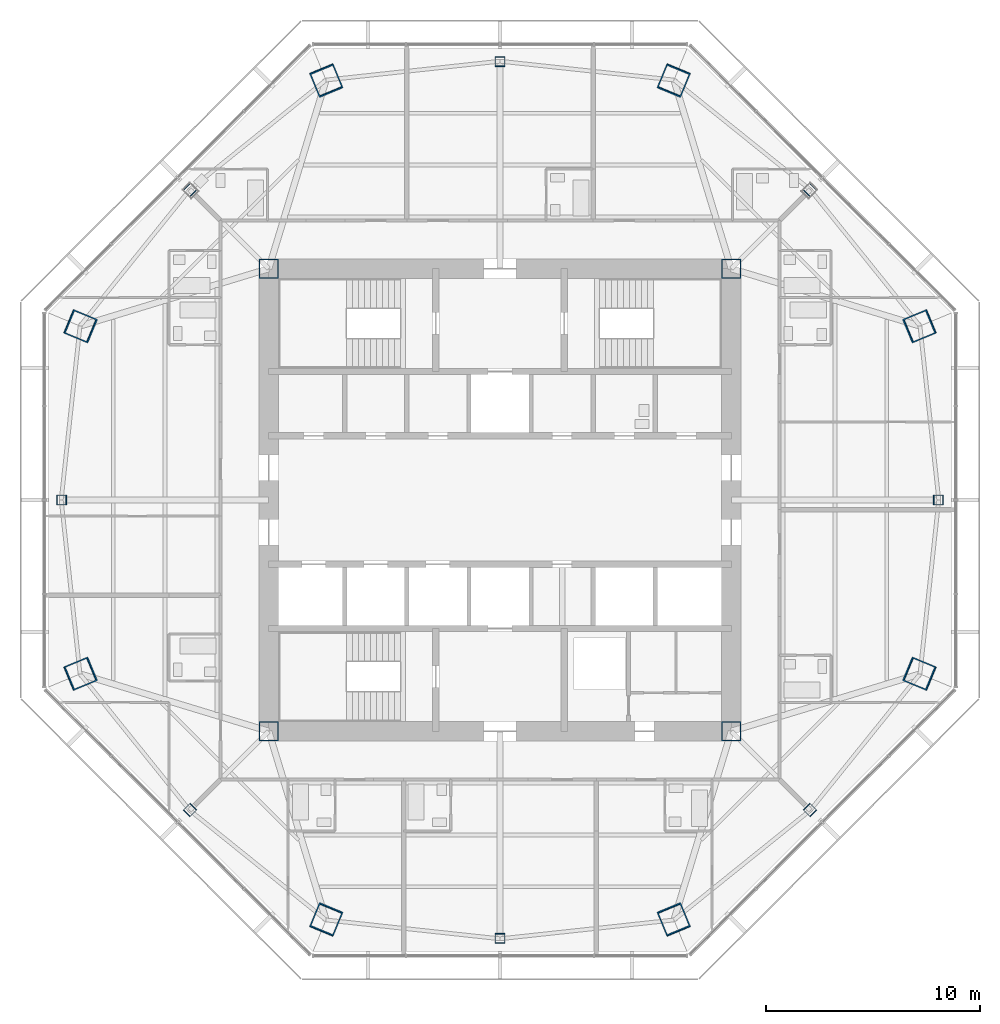
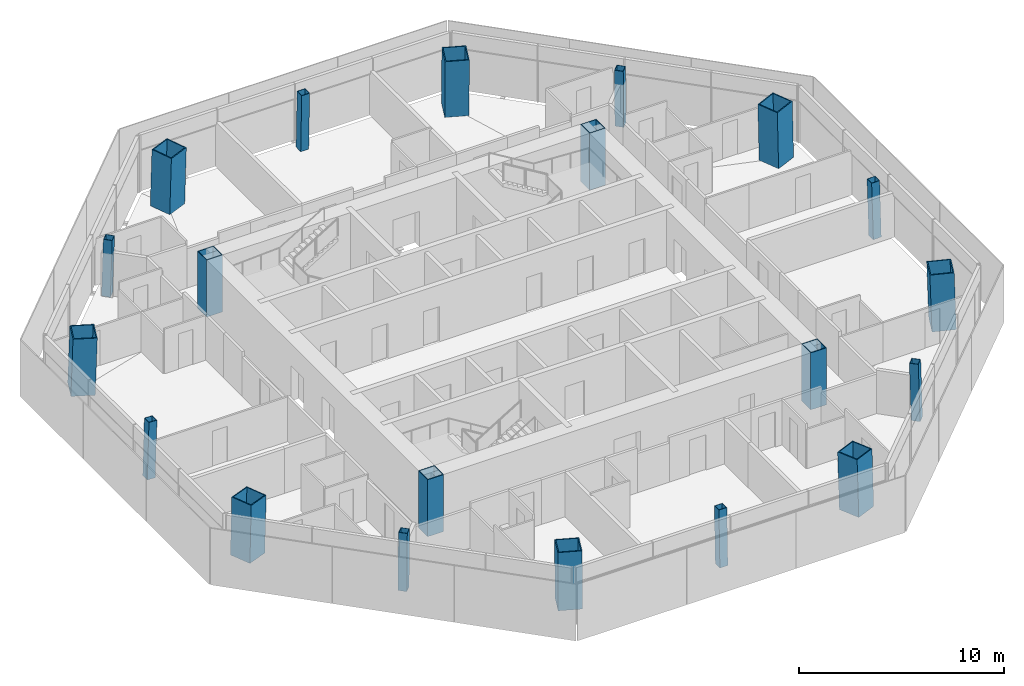
# One storey, part 1 of 14: 20 columns.
"""IFC4 building model written with IfcOpenShell, lengths in metres."""

from ifc_helpers import new_model, si_unit, direction, frame, origin, origin_2d, place, context, subcontext, project, spatial, hollow_rectangle, extrude, material, material_profile, profile_set, type_object, element, save


model = new_model("IFC4")

# Units and contexts
model_context = context("Model", 3, precision=1e-05, world=origin(), true_north=direction((0.0, 1.0)))
body_context = subcontext(model_context, "Body", "Model", "MODEL_VIEW")
ifc_project = project(units=[si_unit("LENGTHUNIT", "METRE"), si_unit("AREAUNIT", "SQUARE_METRE"), si_unit("VOLUMEUNIT", "CUBIC_METRE"), si_unit("PLANEANGLEUNIT", "RADIAN"), si_unit("MASSUNIT", "GRAM", prefix="KILO")], contexts=[model_context])

# Site, building, storey
site_placement = place(None, origin())
site = spatial("IfcSite", under=ifc_project, at=site_placement, CompositionType="ELEMENT")
building_placement = place(site_placement, origin())
building = spatial("IfcBuilding", under=site, at=building_placement, Name="Mashrafa Tower", CompositionType="ELEMENT")
storey_placement = place(building_placement, frame((0.0, 0.0, 238.0)))
storey = spatial("IfcBuildingStorey", under=building, at=storey_placement, Name="L56", CompositionType="ELEMENT", Elevation=238.0)

# Columns
ifc_material_1 = material(Name="Steel ASTM A572 Gr 50", Category="steel")
ifc_material_profile_1 = material_profile(ifc_material_1, hollow_rectangle(XDim=0.89990234375, YDim=0.89990234375, WallThickness=0.0400390625, at=origin_2d()), Name="BOX900X900X40")
ifc_profile_set_1 = profile_set([ifc_material_profile_1], Name="Steel ASTM A572 Gr 50")
column_type_1 = type_object("IfcColumnType", Name="Core corner column BOX900X900X40", PredefinedType="COLUMN", material=ifc_profile_set_1)
for number, where, z_axis, x_axis, name in (
    (1, (10.800048828125, 10.800048828125, 0.0), (0.0, 0.0, 1.0), (1.0, 0.0, 0.0), "Core corner column CC-NE L56"),
    (2, (-10.800048828125, 10.800048828125, 0.0), (0.0, 0.0, 1.0), (1.0, 0.0, 0.0), "Core corner column CC-NW L56"),
    (3, (-10.800048828125, -10.800048828125, 0.0), (0.0, 0.0, 1.0), (1.0, 0.0, 0.0), "Core corner column CC-SW L56"),
    (4, (10.800048828125, -10.800048828125, 0.0), (0.0, 0.0, 1.0), (1.0, 0.0, 0.0), "Core corner column CC-SE L56"),
):
    element("IfcColumn", number, at=place(storey_placement, frame(where, z_axis=z_axis, x_axis=x_axis)), inside=storey, type_object=column_type_1, Name=name, PredefinedType="COLUMN", context=body_context, shape_type="SweptSolid", body=[
        extrude(hollow_rectangle(XDim=0.89990234375, YDim=0.89990234375, WallThickness=0.0400390625, at=origin_2d()), origin(), (0.0, 0.0, 1.0), 3.39990234375),
    ])
ifc_material_2 = material(Name="Steel ASTM A572 Gr 50", Category="steel")
ifc_material_profile_2 = material_profile(ifc_material_2, hollow_rectangle(XDim=1.199951171875, YDim=1.199951171875, WallThickness=0.054931640625, at=origin_2d()), Name="BOX1200X1200X55")
ifc_profile_set_2 = profile_set([ifc_material_profile_2], Name="Steel ASTM A572 Gr 50")
column_type_2 = type_object("IfcColumnType", Name="Mega column CFST BOX1200X1200X55", PredefinedType="COLUMN", material=ifc_profile_set_2)
for number, where, z_axis, x_axis, name in (
    (5, (19.603759765625, 8.1201171875, 0.0), (-0.02827915051, -0.01169924247, 0.999531598986), (0.382282742426, -0.924045401938, 0.0), "Mega column MC1 L56"),
    (6, (8.1201171875, 19.603759765625, 0.0), (-0.01169924247, -0.02827915051, 0.999531598986), (0.924045401938, -0.382282742426, 0.0), "Mega column MC2 L56"),
    (7, (-8.1201171875, 19.603759765625, 0.0), (0.01169924247, -0.02827915051, 0.999531598986), (0.924045401938, 0.382282742426, 0.0), "Mega column MC3 L56"),
    (8, (-19.603759765625, 8.1201171875, 0.0), (0.02827915051, -0.01169924247, 0.999531598986), (0.382282742426, 0.924045401938, 0.0), "Mega column MC4 L56"),
    (9, (-19.603759765625, -8.1201171875, 0.0), (0.02827915051, 0.01169924247, 0.999531598986), (-0.382282742426, 0.924045401938, 0.0), "Mega column MC5 L56"),
    (10, (-8.1201171875, -19.603759765625, 0.0), (0.01169924247, 0.02827915051, 0.999531598986), (-0.924045401938, 0.382282742426, 0.0), "Mega column MC6 L56"),
    (11, (8.1201171875, -19.603759765625, 0.0), (-0.01169924247, 0.02827915051, 0.999531598986), (-0.924045401938, -0.382282742426, 0.0), "Mega column MC7 L56"),
    (12, (19.603759765625, -8.1201171875, 0.0), (-0.02827915051, 0.01169924247, 0.999531598986), (-0.382282742426, -0.924045401938, 0.0), "Mega column MC8 L56"),
):
    element("IfcColumn", number, at=place(storey_placement, frame(where, z_axis=z_axis, x_axis=x_axis)), inside=storey, type_object=column_type_2, Name=name, PredefinedType="COLUMN", context=body_context, shape_type="SweptSolid", body=[
        extrude(hollow_rectangle(XDim=1.199951171875, YDim=1.199951171875, WallThickness=0.054931640625, at=origin_2d()), origin(), (0.0, 0.0, 1.0), 3.401611328125),
    ])
ifc_material_3 = material(Name="Steel ASTM A572 Gr 50", Category="steel")
ifc_material_profile_3 = material_profile(ifc_material_3, hollow_rectangle(XDim=0.449951171875, YDim=0.449951171875, WallThickness=0.02001953125, at=origin_2d()), Name="BOX450X450X20")
ifc_profile_set_3 = profile_set([ifc_material_profile_3], Name="Steel ASTM A572 Gr 50")
column_type_3 = type_object("IfcColumnType", Name="Secondary column BOX450X450X20", PredefinedType="COLUMN", material=ifc_profile_set_3)
for number, where, z_axis, x_axis, name in (
    (13, (20.48193359375, 0.0, 0.0), (-0.028281086024, 0.0, 0.999600010091), (0.0, -1.0, 0.0), "Secondary column SC1 L56"),
    (14, (14.48291015625, 14.48291015625, 0.0), (-0.01995470925, -0.01995470925, 0.999601730269), (0.707106781187, -0.707106781187, 0.0), "Secondary column SC2 L56"),
    (15, (0.0, 20.48193359375, 0.0), (0.0, -0.028281086024, 0.999600010091), (1.0, 0.0, 0.0), "Secondary column SC3 L56"),
    (16, (-14.48291015625, 14.48291015625, 0.0), (0.01995470925, -0.01995470925, 0.999601730269), (0.707106781187, 0.707106781187, 0.0), "Secondary column SC4 L56"),
    (17, (-20.48193359375, 0.0, 0.0), (0.028281086024, 0.0, 0.999600010091), (0.0, 1.0, 0.0), "Secondary column SC5 L56"),
    (18, (-14.48291015625, -14.48291015625, 0.0), (0.01995470925, 0.01995470925, 0.999601730269), (-0.707106781187, 0.707106781187, 0.0), "Secondary column SC6 L56"),
    (19, (0.0, -20.48193359375, 0.0), (0.0, 0.028281086024, 0.999600010091), (-1.0, 0.0, 0.0), "Secondary column SC7 L56"),
    (20, (14.48291015625, -14.48291015625, 0.0), (-0.01995470925, 0.01995470925, 0.999601730269), (-0.707106781187, -0.707106781187, 0.0), "Secondary column SC8 L56"),
):
    element("IfcColumn", number, at=place(storey_placement, frame(where, z_axis=z_axis, x_axis=x_axis)), inside=storey, type_object=column_type_3, Name=name, PredefinedType="COLUMN", context=body_context, shape_type="SweptSolid", body=[
        extrude(hollow_rectangle(XDim=0.449951171875, YDim=0.449951171875, WallThickness=0.02001953125, at=origin_2d()), origin(), (0.0, 0.0, 1.0), 3.4013671875),
    ])

save(model, "model.ifc")
